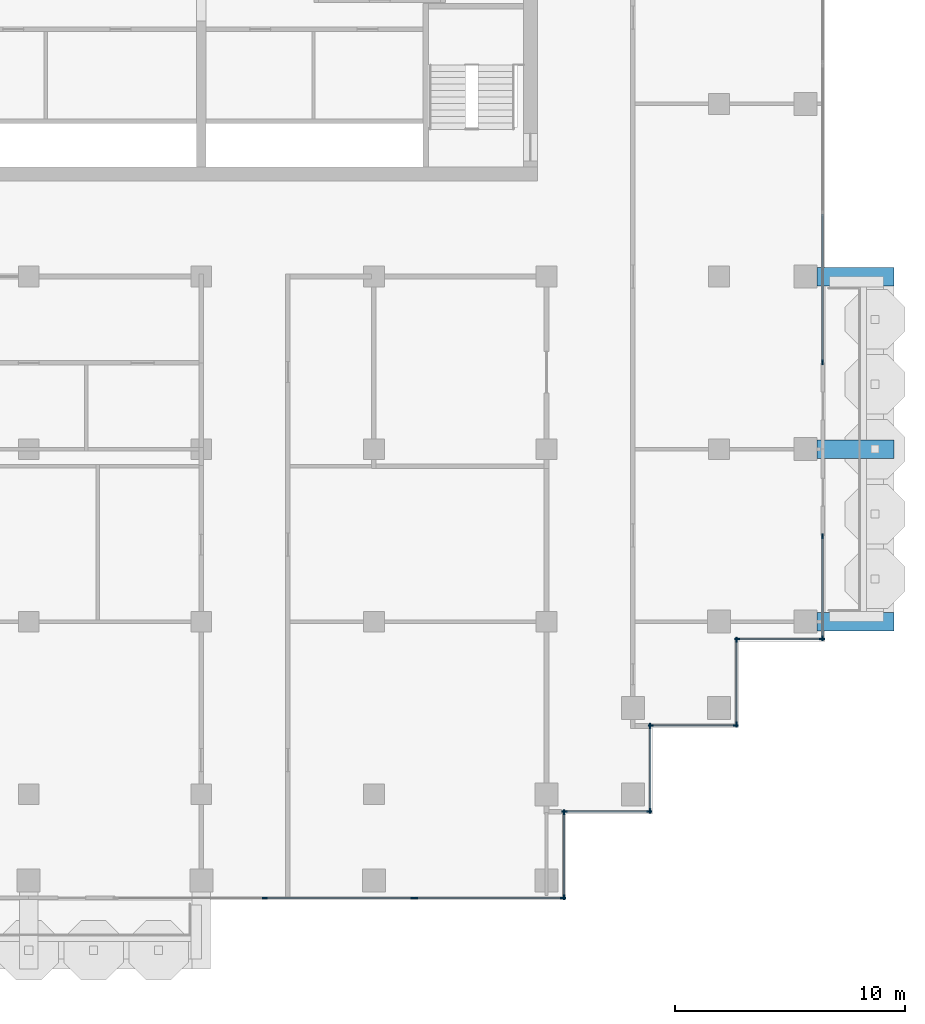
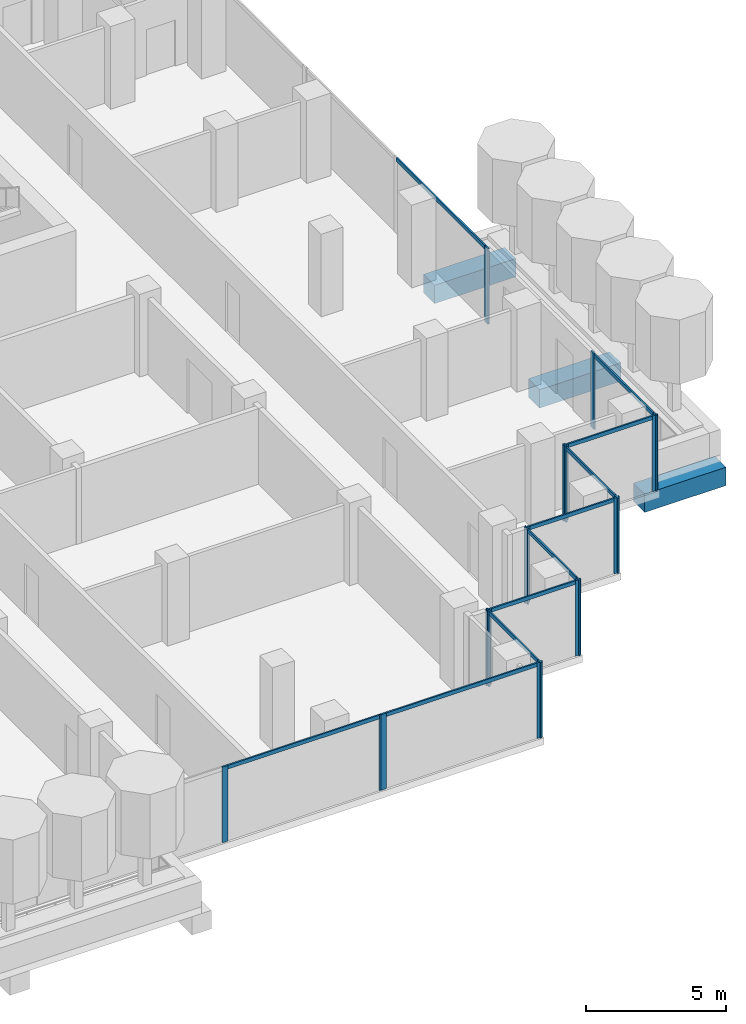
# One storey, part 4 of 18: 29 members, 3 beams, 10 elements without a shape of their own.
"""IFC4 building model written with IfcOpenShell, lengths in metres."""

from ifc_helpers import new_model, si_unit, direction, frame, origin, origin_2d, place, context, subcontext, project, spatial, rectangle, extrude, material, material_profile, profile_set, type_object, element, aggregate, save


model = new_model("IFC4")

# Units and contexts
model_context = context("Model", 3, precision=1e-05, world=origin(), true_north=direction((0.0, 1.0)))
body_context = subcontext(model_context, "Body", "Model", "MODEL_VIEW")
ifc_project = project(units=[si_unit("LENGTHUNIT", "METRE"), si_unit("AREAUNIT", "SQUARE_METRE"), si_unit("VOLUMEUNIT", "CUBIC_METRE"), si_unit("PLANEANGLEUNIT", "RADIAN"), si_unit("MASSUNIT", "GRAM", prefix="KILO")], contexts=[model_context])

# Site, building, storey
site_placement = place(None, origin())
site = spatial("IfcSite", under=ifc_project, at=site_placement, CompositionType="ELEMENT")
building_placement = place(site_placement, origin())
building = spatial("IfcBuilding", under=site, at=building_placement, Name="Pilkhan Gate Tower", CompositionType="ELEMENT")
storey_placement = place(building_placement, frame((0.0, 0.0, 199.5)))
storey = spatial("IfcBuildingStorey", under=building, at=storey_placement, Name="L51", CompositionType="ELEMENT", Elevation=199.5)

# Beams
ifc_material_1 = material(Name="Concrete C50/60", Category="concrete")
ifc_material_profile_1 = material_profile(ifc_material_1, rectangle(XDim=0.800048828125, YDim=0.800048828125, at=origin_2d()), Name="RC 800x800")
ifc_profile_set_1 = profile_set([ifc_material_profile_1], Name="Concrete C50/60")
beam_type = type_object("IfcBeamType", Name="Cantilever beam CB2 RC 800x800 C50/60", PredefinedType="BEAM", material=ifc_profile_set_1)
for number, where, z_axis, x_axis, name in (
    (1, (101.75, 52.5, -0.699951171875), (1.0, 0.0, 0.0), (0.0, 1.0, 0.0), "Balcony beam E.1 L51"),
    (2, (101.75, 60.0, -0.699951171875), (1.0, 0.0, 0.0), (0.0, 1.0, 0.0), "Balcony beam E.2 L51"),
    (3, (101.75, 67.5, -0.699951171875), (1.0, 0.0, 0.0), (0.0, 1.0, 0.0), "Balcony beam E.3 L51"),
):
    element("IfcBeam", number, at=place(storey_placement, frame(where, z_axis=z_axis, x_axis=x_axis)), inside=storey, type_object=beam_type, Name=name, PredefinedType="BEAM", context=body_context, shape_type="SweptSolid", body=[
        extrude(rectangle(XDim=0.800048828125, YDim=0.800048828125, at=origin_2d()), origin(), (0.0, 0.0, 1.0), 3.35009765625),
    ])

# Curtain wall, members
ifc_material_2 = material(Name="Pale anodised aluminium, clear low-iron double glazing", Category="aluminium")
curtain_wall_type = type_object("IfcCurtainWallType", Name="Office unitised curtain wall CW-O2", PredefinedType="USERDEFINED", material=ifc_material_2)
curtain_wall_1_placement = place(storey_placement, origin())
curtain_wall_1 = element("IfcCurtainWall", 4, at=curtain_wall_1_placement, inside=storey, type_object=curtain_wall_type, Name="Office unitised curtain wall CW-O2 L51 E", ObjectType="UNITISED CURTAIN WALL", PredefinedType="USERDEFINED")
ifc_material_3 = material(Name="Pale anodised aluminium", Category="aluminium")
ifc_material_profile_2 = material_profile(ifc_material_3, rectangle(XDim=0.06494140625, YDim=0.22509765625, at=origin_2d()), Name="Mullion 225x65")
ifc_profile_set_2 = profile_set([ifc_material_profile_2], Name="Pale anodised aluminium")
member_type_1 = type_object("IfcMemberType", Name="Mullion CW-O2 225x65", PredefinedType="MULLION", material=ifc_profile_set_2)
member_1_placement = place(storey_placement, frame((102.0, 51.782470703125, 0.0), z_axis=(0.0, 0.0, 1.0), x_axis=(-1.0, 0.0, 0.0)))
member_1 = element("IfcMember", 5, at=member_1_placement, type_object=member_type_1, Name="CW-O2 mullion 1", PredefinedType="MULLION", context=body_context, shape_type="SweptSolid", body=[
    extrude(rectangle(XDim=0.06494140625, YDim=0.22509765625, at=origin_2d()), origin(), (0.0, 0.0, 1.0), 3.300048828125),
])
member_2_placement = place(storey_placement, frame((102.0, 56.217529296875, 0.0), z_axis=(0.0, 0.0, 1.0), x_axis=(-1.0, 0.0, 0.0)))
member_2 = element("IfcMember", 6, at=member_2_placement, type_object=member_type_1, Name="CW-O2 mullion 2", PredefinedType="MULLION", context=body_context, shape_type="SweptSolid", body=[
    extrude(rectangle(XDim=0.06494140625, YDim=0.22509765625, at=origin_2d()), origin(), (0.0, 0.0, 1.0), 3.300048828125),
])

# Curtain wall, member
curtain_wall_2_placement = place(storey_placement, origin())
curtain_wall_2 = element("IfcCurtainWall", 7, at=curtain_wall_2_placement, inside=storey, type_object=curtain_wall_type, Name="Office unitised curtain wall CW-O2 L51 E", ObjectType="UNITISED CURTAIN WALL", PredefinedType="USERDEFINED")
member_3_placement = place(storey_placement, frame((102.0, 63.782470703125, 0.0), z_axis=(0.0, 0.0, 1.0), x_axis=(-1.0, 0.0, 0.0)))
member_3 = element("IfcMember", 8, at=member_3_placement, type_object=member_type_1, Name="CW-O2 mullion 1", PredefinedType="MULLION", context=body_context, shape_type="SweptSolid", body=[
    extrude(rectangle(XDim=0.06494140625, YDim=0.22509765625, at=origin_2d()), origin(), (0.0, 0.0, 1.0), 3.300048828125),
])

# Curtain wall, members
curtain_wall_3_placement = place(storey_placement, origin())
curtain_wall_3 = element("IfcCurtainWall", 9, at=curtain_wall_3_placement, inside=storey, type_object=curtain_wall_type, Name="Office unitised curtain wall CW-O2 L51 S", ObjectType="UNITISED CURTAIN WALL", PredefinedType="USERDEFINED")
member_4_placement = place(storey_placement, frame((77.75, 40.5, 0.0), z_axis=(0.0, 0.0, 1.0), x_axis=(0.0, 1.0, 0.0)))
member_4 = element("IfcMember", 10, at=member_4_placement, type_object=member_type_1, Name="CW-O2 mullion 2", PredefinedType="MULLION", context=body_context, shape_type="SweptSolid", body=[
    extrude(rectangle(XDim=0.06494140625, YDim=0.22509765625, at=origin_2d()), origin(), (0.0, 0.0, 1.0), 3.300048828125),
])
member_5_placement = place(storey_placement, frame((84.217529296875, 40.5, 0.0), z_axis=(0.0, 0.0, 1.0), x_axis=(0.0, 1.0, 0.0)))
member_5 = element("IfcMember", 11, at=member_5_placement, type_object=member_type_1, Name="CW-O2 mullion 3", PredefinedType="MULLION", context=body_context, shape_type="SweptSolid", body=[
    extrude(rectangle(XDim=0.06494140625, YDim=0.22509765625, at=origin_2d()), origin(), (0.0, 0.0, 1.0), 3.300048828125),
])

curtain_wall_4_placement = place(storey_placement, origin())
curtain_wall_4 = element("IfcCurtainWall", 12, at=curtain_wall_4_placement, inside=storey, type_object=curtain_wall_type, Name="Office unitised curtain wall CW-O2 L51 S", ObjectType="UNITISED CURTAIN WALL", PredefinedType="USERDEFINED")
member_6_placement = place(storey_placement, frame((84.282470703125, 40.5, 0.0), z_axis=(0.0, 0.0, 1.0), x_axis=(0.0, 1.0, 0.0)))
member_6 = element("IfcMember", 13, at=member_6_placement, type_object=member_type_1, Name="CW-O2 mullion 1", PredefinedType="MULLION", context=body_context, shape_type="SweptSolid", body=[
    extrude(rectangle(XDim=0.06494140625, YDim=0.22509765625, at=origin_2d()), origin(), (0.0, 0.0, 1.0), 3.300048828125),
])
member_7_placement = place(storey_placement, frame((90.717529296875, 40.5, 0.0), z_axis=(0.0, 0.0, 1.0), x_axis=(0.0, 1.0, 0.0)))
member_7 = element("IfcMember", 14, at=member_7_placement, type_object=member_type_1, Name="CW-O2 mullion 2", PredefinedType="MULLION", context=body_context, shape_type="SweptSolid", body=[
    extrude(rectangle(XDim=0.06494140625, YDim=0.22509765625, at=origin_2d()), origin(), (0.0, 0.0, 1.0), 3.300048828125),
])

curtain_wall_5_placement = place(storey_placement, origin())
curtain_wall_5 = element("IfcCurtainWall", 15, at=curtain_wall_5_placement, inside=storey, type_object=curtain_wall_type, Name="Office unitised curtain wall CW-O2 L51 E", ObjectType="UNITISED CURTAIN WALL", PredefinedType="USERDEFINED")
member_8_placement = place(storey_placement, frame((90.75, 40.532470703125, 0.0), z_axis=(0.0, 0.0, 1.0), x_axis=(-1.0, 0.0, 0.0)))
member_8 = element("IfcMember", 16, at=member_8_placement, type_object=member_type_1, Name="CW-O2 mullion 1", PredefinedType="MULLION", context=body_context, shape_type="SweptSolid", body=[
    extrude(rectangle(XDim=0.06494140625, YDim=0.22509765625, at=origin_2d()), origin(), (0.0, 0.0, 1.0), 3.300048828125),
])
member_9_placement = place(storey_placement, frame((90.75, 44.217529296875, 0.0), z_axis=(0.0, 0.0, 1.0), x_axis=(-1.0, 0.0, 0.0)))
member_9 = element("IfcMember", 17, at=member_9_placement, type_object=member_type_1, Name="CW-O2 mullion 2", PredefinedType="MULLION", context=body_context, shape_type="SweptSolid", body=[
    extrude(rectangle(XDim=0.06494140625, YDim=0.22509765625, at=origin_2d()), origin(), (0.0, 0.0, 1.0), 3.300048828125),
])

curtain_wall_6_placement = place(storey_placement, origin())
curtain_wall_6 = element("IfcCurtainWall", 18, at=curtain_wall_6_placement, inside=storey, type_object=curtain_wall_type, Name="Office unitised curtain wall CW-O2 L51 S", ObjectType="UNITISED CURTAIN WALL", PredefinedType="USERDEFINED")
member_10_placement = place(storey_placement, frame((90.782470703125, 44.25, 0.0), z_axis=(0.0, 0.0, 1.0), x_axis=(0.0, 1.0, 0.0)))
member_10 = element("IfcMember", 19, at=member_10_placement, type_object=member_type_1, Name="CW-O2 mullion 1", PredefinedType="MULLION", context=body_context, shape_type="SweptSolid", body=[
    extrude(rectangle(XDim=0.06494140625, YDim=0.22509765625, at=origin_2d()), origin(), (0.0, 0.0, 1.0), 3.300048828125),
])
member_11_placement = place(storey_placement, frame((94.467529296875, 44.25, 0.0), z_axis=(0.0, 0.0, 1.0), x_axis=(0.0, 1.0, 0.0)))
member_11 = element("IfcMember", 20, at=member_11_placement, type_object=member_type_1, Name="CW-O2 mullion 2", PredefinedType="MULLION", context=body_context, shape_type="SweptSolid", body=[
    extrude(rectangle(XDim=0.06494140625, YDim=0.22509765625, at=origin_2d()), origin(), (0.0, 0.0, 1.0), 3.300048828125),
])

curtain_wall_7_placement = place(storey_placement, origin())
curtain_wall_7 = element("IfcCurtainWall", 21, at=curtain_wall_7_placement, inside=storey, type_object=curtain_wall_type, Name="Office unitised curtain wall CW-O2 L51 E", ObjectType="UNITISED CURTAIN WALL", PredefinedType="USERDEFINED")
member_12_placement = place(storey_placement, frame((94.5, 44.282470703125, 0.0), z_axis=(0.0, 0.0, 1.0), x_axis=(-1.0, 0.0, 0.0)))
member_12 = element("IfcMember", 22, at=member_12_placement, type_object=member_type_1, Name="CW-O2 mullion 1", PredefinedType="MULLION", context=body_context, shape_type="SweptSolid", body=[
    extrude(rectangle(XDim=0.06494140625, YDim=0.22509765625, at=origin_2d()), origin(), (0.0, 0.0, 1.0), 3.300048828125),
])
member_13_placement = place(storey_placement, frame((94.5, 47.967529296875, 0.0), z_axis=(0.0, 0.0, 1.0), x_axis=(-1.0, 0.0, 0.0)))
member_13 = element("IfcMember", 23, at=member_13_placement, type_object=member_type_1, Name="CW-O2 mullion 2", PredefinedType="MULLION", context=body_context, shape_type="SweptSolid", body=[
    extrude(rectangle(XDim=0.06494140625, YDim=0.22509765625, at=origin_2d()), origin(), (0.0, 0.0, 1.0), 3.300048828125),
])

curtain_wall_8_placement = place(storey_placement, origin())
curtain_wall_8 = element("IfcCurtainWall", 24, at=curtain_wall_8_placement, inside=storey, type_object=curtain_wall_type, Name="Office unitised curtain wall CW-O2 L51 S", ObjectType="UNITISED CURTAIN WALL", PredefinedType="USERDEFINED")
member_14_placement = place(storey_placement, frame((94.532470703125, 48.0, 0.0), z_axis=(0.0, 0.0, 1.0), x_axis=(0.0, 1.0, 0.0)))
member_14 = element("IfcMember", 25, at=member_14_placement, type_object=member_type_1, Name="CW-O2 mullion 1", PredefinedType="MULLION", context=body_context, shape_type="SweptSolid", body=[
    extrude(rectangle(XDim=0.06494140625, YDim=0.22509765625, at=origin_2d()), origin(), (0.0, 0.0, 1.0), 3.300048828125),
])
member_15_placement = place(storey_placement, frame((98.217529296875, 48.0, 0.0), z_axis=(0.0, 0.0, 1.0), x_axis=(0.0, 1.0, 0.0)))
member_15 = element("IfcMember", 26, at=member_15_placement, type_object=member_type_1, Name="CW-O2 mullion 2", PredefinedType="MULLION", context=body_context, shape_type="SweptSolid", body=[
    extrude(rectangle(XDim=0.06494140625, YDim=0.22509765625, at=origin_2d()), origin(), (0.0, 0.0, 1.0), 3.300048828125),
])

curtain_wall_9_placement = place(storey_placement, origin())
curtain_wall_9 = element("IfcCurtainWall", 27, at=curtain_wall_9_placement, inside=storey, type_object=curtain_wall_type, Name="Office unitised curtain wall CW-O2 L51 E", ObjectType="UNITISED CURTAIN WALL", PredefinedType="USERDEFINED")
member_16_placement = place(storey_placement, frame((98.25, 48.032470703125, 0.0), z_axis=(0.0, 0.0, 1.0), x_axis=(-1.0, 0.0, 0.0)))
member_16 = element("IfcMember", 28, at=member_16_placement, type_object=member_type_1, Name="CW-O2 mullion 1", PredefinedType="MULLION", context=body_context, shape_type="SweptSolid", body=[
    extrude(rectangle(XDim=0.06494140625, YDim=0.22509765625, at=origin_2d()), origin(), (0.0, 0.0, 1.0), 3.300048828125),
])
member_17_placement = place(storey_placement, frame((98.25, 51.717529296875, 0.0), z_axis=(0.0, 0.0, 1.0), x_axis=(-1.0, 0.0, 0.0)))
member_17 = element("IfcMember", 29, at=member_17_placement, type_object=member_type_1, Name="CW-O2 mullion 2", PredefinedType="MULLION", context=body_context, shape_type="SweptSolid", body=[
    extrude(rectangle(XDim=0.06494140625, YDim=0.22509765625, at=origin_2d()), origin(), (0.0, 0.0, 1.0), 3.300048828125),
])

curtain_wall_10_placement = place(storey_placement, origin())
curtain_wall_10 = element("IfcCurtainWall", 30, at=curtain_wall_10_placement, inside=storey, type_object=curtain_wall_type, Name="Office unitised curtain wall CW-O2 L51 S", ObjectType="UNITISED CURTAIN WALL", PredefinedType="USERDEFINED")
member_18_placement = place(storey_placement, frame((98.282470703125, 51.75, 0.0), z_axis=(0.0, 0.0, 1.0), x_axis=(0.0, 1.0, 0.0)))
member_18 = element("IfcMember", 31, at=member_18_placement, type_object=member_type_1, Name="CW-O2 mullion 1", PredefinedType="MULLION", context=body_context, shape_type="SweptSolid", body=[
    extrude(rectangle(XDim=0.06494140625, YDim=0.22509765625, at=origin_2d()), origin(), (0.0, 0.0, 1.0), 3.300048828125),
])
member_19_placement = place(storey_placement, frame((101.967529296875, 51.75, 0.0), z_axis=(0.0, 0.0, 1.0), x_axis=(0.0, 1.0, 0.0)))
member_19 = element("IfcMember", 32, at=member_19_placement, type_object=member_type_1, Name="CW-O2 mullion 2", PredefinedType="MULLION", context=body_context, shape_type="SweptSolid", body=[
    extrude(rectangle(XDim=0.06494140625, YDim=0.22509765625, at=origin_2d()), origin(), (0.0, 0.0, 1.0), 3.300048828125),
])

# Member
ifc_material_profile_3 = material_profile(ifc_material_3, rectangle(XDim=0.06494140625, YDim=0.1650390625, at=origin_2d()), Name="Transom 165x65")
ifc_profile_set_3 = profile_set([ifc_material_profile_3], Name="Pale anodised aluminium")
member_type_2 = type_object("IfcMemberType", Name="Transom CW-O2 165x65", PredefinedType="USERDEFINED", material=ifc_profile_set_3)
member_20_placement = place(storey_placement, frame((102.0, 51.81494140625, 3.217529296875), z_axis=(0.0, 1.0, 0.0), x_axis=(-1.0, 0.0, 0.0)))
member_20 = element("IfcMember", 33, at=member_20_placement, type_object=member_type_2, Name="CW-O2 transom 1", ObjectType="TRANSOM", PredefinedType="USERDEFINED", context=body_context, shape_type="SweptSolid", body=[
    extrude(rectangle(XDim=0.06494140625, YDim=0.1650390625, at=origin_2d()), origin(), (0.0, 0.0, 1.0), 4.3701171875),
])

aggregate(curtain_wall_1, [member_1, member_2, member_20])

member_21_placement = place(storey_placement, frame((102.0, 63.81494140625, 3.217529296875), z_axis=(0.0, 1.0, 0.0), x_axis=(-1.0, 0.0, 0.0)))
member_21 = element("IfcMember", 34, at=member_21_placement, type_object=member_type_2, Name="CW-O2 transom 1", ObjectType="TRANSOM", PredefinedType="USERDEFINED", context=body_context, shape_type="SweptSolid", body=[
    extrude(rectangle(XDim=0.06494140625, YDim=0.1650390625, at=origin_2d()), origin(), (0.0, 0.0, 1.0), 6.402587890625),
])

aggregate(curtain_wall_2, [member_3, member_21])

member_22_placement = place(storey_placement, frame((77.782470703125, 40.5, 3.217529296875), z_axis=(1.0, 0.0, 0.0), x_axis=(0.0, 1.0, 0.0)))
member_22 = element("IfcMember", 35, at=member_22_placement, type_object=member_type_2, Name="CW-O2 transom 2", ObjectType="TRANSOM", PredefinedType="USERDEFINED", context=body_context, shape_type="SweptSolid", body=[
    extrude(rectangle(XDim=0.06494140625, YDim=0.1650390625, at=origin_2d()), origin(), (0.0, 0.0, 1.0), 6.402587890625),
])

aggregate(curtain_wall_3, [member_4, member_5, member_22])

member_23_placement = place(storey_placement, frame((84.31494140625, 40.5, 3.217529296875), z_axis=(1.0, 0.0, 0.0), x_axis=(0.0, 1.0, 0.0)))
member_23 = element("IfcMember", 36, at=member_23_placement, type_object=member_type_2, Name="CW-O2 transom 1", ObjectType="TRANSOM", PredefinedType="USERDEFINED", context=body_context, shape_type="SweptSolid", body=[
    extrude(rectangle(XDim=0.06494140625, YDim=0.1650390625, at=origin_2d()), origin(), (0.0, 0.0, 1.0), 6.3701171875),
])

aggregate(curtain_wall_4, [member_6, member_7, member_23])

member_24_placement = place(storey_placement, frame((90.75, 40.56494140625, 3.217529296875), z_axis=(0.0, 1.0, 0.0), x_axis=(-1.0, 0.0, 0.0)))
member_24 = element("IfcMember", 37, at=member_24_placement, type_object=member_type_2, Name="CW-O2 transom 1", ObjectType="TRANSOM", PredefinedType="USERDEFINED", context=body_context, shape_type="SweptSolid", body=[
    extrude(rectangle(XDim=0.06494140625, YDim=0.1650390625, at=origin_2d()), origin(), (0.0, 0.0, 1.0), 3.6201171875),
])

aggregate(curtain_wall_5, [member_8, member_9, member_24])

member_25_placement = place(storey_placement, frame((90.81494140625, 44.25, 3.217529296875), z_axis=(1.0, 0.0, 0.0), x_axis=(0.0, 1.0, 0.0)))
member_25 = element("IfcMember", 38, at=member_25_placement, type_object=member_type_2, Name="CW-O2 transom 1", ObjectType="TRANSOM", PredefinedType="USERDEFINED", context=body_context, shape_type="SweptSolid", body=[
    extrude(rectangle(XDim=0.06494140625, YDim=0.1650390625, at=origin_2d()), origin(), (0.0, 0.0, 1.0), 3.6201171875),
])

aggregate(curtain_wall_6, [member_10, member_11, member_25])

member_26_placement = place(storey_placement, frame((94.5, 44.31494140625, 3.217529296875), z_axis=(0.0, 1.0, 0.0), x_axis=(-1.0, 0.0, 0.0)))
member_26 = element("IfcMember", 39, at=member_26_placement, type_object=member_type_2, Name="CW-O2 transom 1", ObjectType="TRANSOM", PredefinedType="USERDEFINED", context=body_context, shape_type="SweptSolid", body=[
    extrude(rectangle(XDim=0.06494140625, YDim=0.1650390625, at=origin_2d()), origin(), (0.0, 0.0, 1.0), 3.6201171875),
])

aggregate(curtain_wall_7, [member_12, member_13, member_26])

member_27_placement = place(storey_placement, frame((94.56494140625, 48.0, 3.217529296875), z_axis=(1.0, 0.0, 0.0), x_axis=(0.0, 1.0, 0.0)))
member_27 = element("IfcMember", 40, at=member_27_placement, type_object=member_type_2, Name="CW-O2 transom 1", ObjectType="TRANSOM", PredefinedType="USERDEFINED", context=body_context, shape_type="SweptSolid", body=[
    extrude(rectangle(XDim=0.06494140625, YDim=0.1650390625, at=origin_2d()), origin(), (0.0, 0.0, 1.0), 3.6201171875),
])

aggregate(curtain_wall_8, [member_14, member_15, member_27])

member_28_placement = place(storey_placement, frame((98.25, 48.06494140625, 3.217529296875), z_axis=(0.0, 1.0, 0.0), x_axis=(-1.0, 0.0, 0.0)))
member_28 = element("IfcMember", 41, at=member_28_placement, type_object=member_type_2, Name="CW-O2 transom 1", ObjectType="TRANSOM", PredefinedType="USERDEFINED", context=body_context, shape_type="SweptSolid", body=[
    extrude(rectangle(XDim=0.06494140625, YDim=0.1650390625, at=origin_2d()), origin(), (0.0, 0.0, 1.0), 3.6201171875),
])

aggregate(curtain_wall_9, [member_16, member_17, member_28])

member_29_placement = place(storey_placement, frame((98.31494140625, 51.75, 3.217529296875), z_axis=(1.0, 0.0, 0.0), x_axis=(0.0, 1.0, 0.0)))
member_29 = element("IfcMember", 42, at=member_29_placement, type_object=member_type_2, Name="CW-O2 transom 1", ObjectType="TRANSOM", PredefinedType="USERDEFINED", context=body_context, shape_type="SweptSolid", body=[
    extrude(rectangle(XDim=0.06494140625, YDim=0.1650390625, at=origin_2d()), origin(), (0.0, 0.0, 1.0), 3.6201171875),
])

aggregate(curtain_wall_10, [member_18, member_19, member_29])

save(model, "model.ifc")
